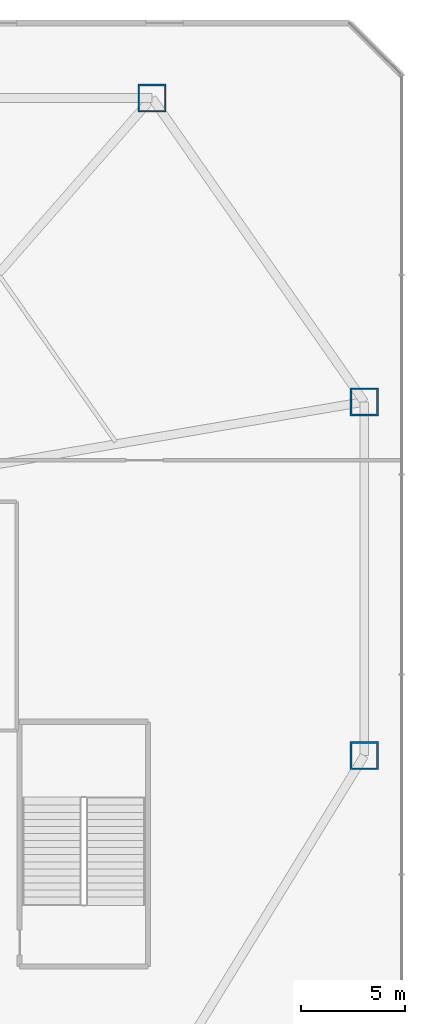
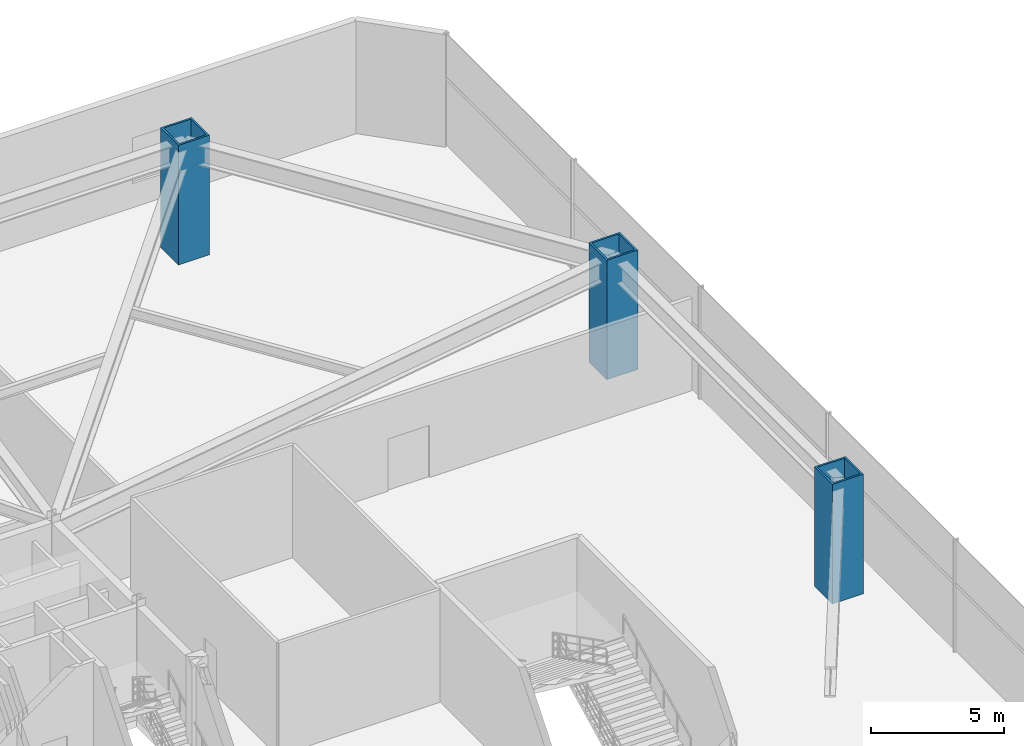
# One storey, part 4 of 20: 3 columns.
"""IFC4 building model written with IfcOpenShell, lengths in metres."""

from ifc_helpers import new_model, si_unit, direction, frame, origin, origin_2d, place, context, subcontext, project, spatial, hollow_rectangle, extrude, material, material_profile, profile_set, type_object, element, save


model = new_model("IFC4")

# Units and contexts
model_context = context("Model", 3, precision=1e-05, world=origin(), true_north=direction((0.0, 1.0)))
body_context = subcontext(model_context, "Body", "Model", "MODEL_VIEW")
ifc_project = project(units=[si_unit("LENGTHUNIT", "METRE"), si_unit("AREAUNIT", "SQUARE_METRE"), si_unit("VOLUMEUNIT", "CUBIC_METRE"), si_unit("PLANEANGLEUNIT", "RADIAN"), si_unit("MASSUNIT", "GRAM", prefix="KILO")], contexts=[model_context])

# Site, building, storey
site_placement = place(None, origin())
site = spatial("IfcSite", under=ifc_project, at=site_placement, CompositionType="ELEMENT")
building_placement = place(site_placement, origin())
building = spatial("IfcBuilding", under=site, at=building_placement, Name="Varakhsha Concourse Tower", CompositionType="ELEMENT")
storey_placement = place(building_placement, frame((0.0, 0.0, 11.0)))
storey = spatial("IfcBuildingStorey", under=building, at=storey_placement, Name="L03", CompositionType="ELEMENT", Elevation=11.0)

# Columns
ifc_material = material(Name="Structural Steel ASTM A572 Grade 50", Category="steel")
ifc_material_profile = material_profile(ifc_material, hollow_rectangle(XDim=1.35009765625, YDim=1.35009765625, WallThickness=0.0849609375, at=origin_2d()), Name="BOX 1350x1350x85")
ifc_profile_set = profile_set([ifc_material_profile], Name="Structural Steel ASTM A572 Grade 50")
column_type = type_object("IfcColumnType", Name="CL-STILT-1350", PredefinedType="COLUMN", material=ifc_profile_set)
for number, where, z_axis, x_axis, name in (
    (1, (75.199951171875, 18.800048828125, 0.0), (0.0, 0.0, 1.0), (1.0, 0.0, 0.0), "L03 Podium Mega-Column PC-E1"),
    (2, (75.199951171875, 35.800048828125, 0.0), (0.0, 0.0, 1.0), (1.0, 0.0, 0.0), "L03 Podium Mega-Column PC-E2"),
    (3, (65.0, 50.39990234375, 0.0), (0.0, 0.0, 1.0), (1.0, 0.0, 0.0), "L03 Podium Mega-Column PC-N4"),
):
    element("IfcColumn", number, at=place(storey_placement, frame(where, z_axis=z_axis, x_axis=x_axis)), inside=storey, type_object=column_type, Name=name, PredefinedType="COLUMN", context=body_context, shape_type="SweptSolid", body=[
        extrude(hollow_rectangle(XDim=1.35009765625, YDim=1.35009765625, WallThickness=0.0849609375, at=origin_2d()), origin(), (0.0, 0.0, 1.0), 5.5),
    ])

save(model, "model.ifc")
